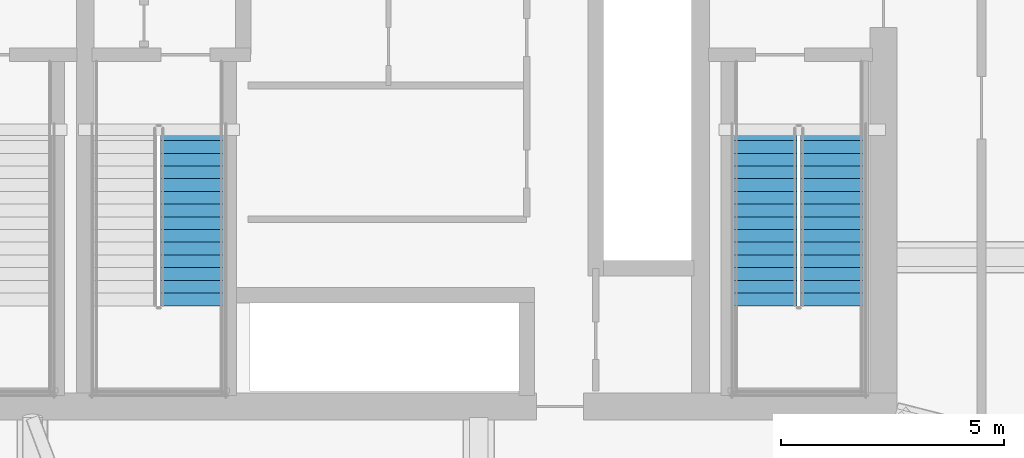
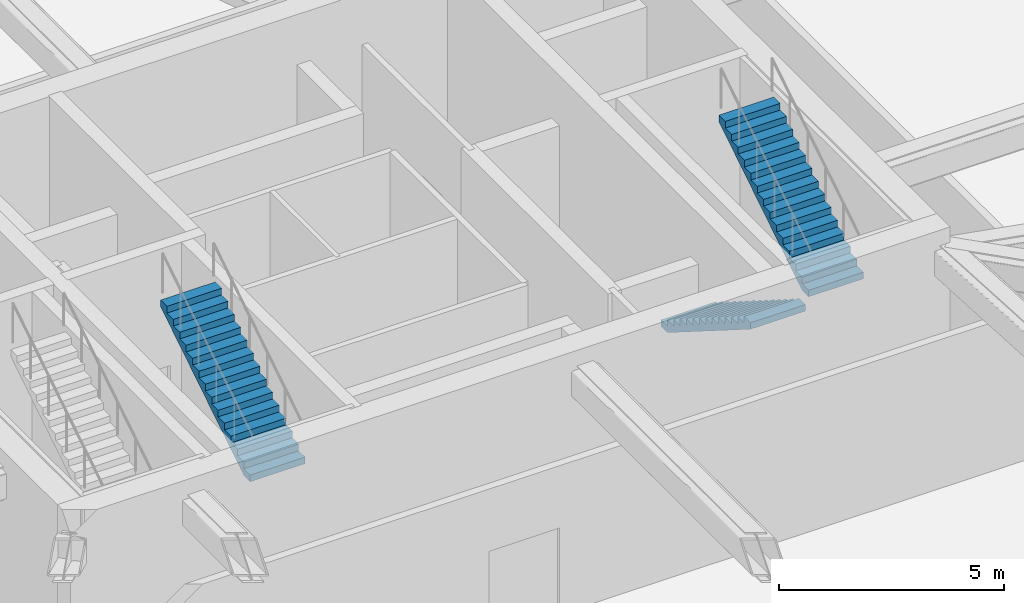
# One storey, part 9 of 13: 3 stair flights, 2 elements without a shape of their own.
"""IFC4 building model written with IfcOpenShell, lengths in metres."""

from ifc_helpers import new_model, si_unit, direction, frame, origin, place, context, subcontext, project, spatial, polyline, outline, extrude, material, type_object, element, aggregate, save


model = new_model("IFC4")

# Units and contexts
model_context = context("Model", 3, precision=1e-05, world=origin(), true_north=direction((0.0, 1.0)))
body_context = subcontext(model_context, "Body", "Model", "MODEL_VIEW")
ifc_project = project(units=[si_unit("LENGTHUNIT", "METRE"), si_unit("AREAUNIT", "SQUARE_METRE"), si_unit("VOLUMEUNIT", "CUBIC_METRE"), si_unit("PLANEANGLEUNIT", "RADIAN"), si_unit("MASSUNIT", "GRAM", prefix="KILO")], contexts=[model_context])

# Site, building, storey
site_placement = place(None, origin())
site = spatial("IfcSite", under=ifc_project, at=site_placement, CompositionType="ELEMENT")
building_placement = place(site_placement, origin())
building = spatial("IfcBuilding", under=site, at=building_placement, Name="Bramvorn Convention Spire", CompositionType="ELEMENT")
storey_placement = place(building_placement, frame((0.0, 0.0, 97.39990234375)))
storey = spatial("IfcBuildingStorey", under=building, at=storey_placement, Name="L23", CompositionType="ELEMENT", Elevation=97.39990234375)

# Stair, stair flights
ifc_material_1 = material(Name="Concrete C40/50 Precast Stair", Category="concrete")
stair_type = type_object("IfcStairType", Name="ST-TOWER-1550", PredefinedType="HALF_TURN_STAIR", material=ifc_material_1)
stair_1_placement = place(storey_placement, origin())
stair_1 = element("IfcStair", 1, at=stair_1_placement, inside=storey, type_object=stair_type, Name="L23 Protected Exit Stair ST2", PredefinedType="HALF_TURN_STAIR")
ifc_material_2 = material(Name="Concrete C40/50 Precast Stair Flight", Category="concrete")
stair_flight_type = type_object("IfcStairFlightType", Name="STF-TOWER-1550", PredefinedType="STRAIGHT", material=ifc_material_2)
stair_flight_1_placement = place(storey_placement, frame((46.35498046875, 25.050048828125, 0.0), z_axis=(0.0, 0.0, 1.0), x_axis=(0.0, -1.0, 0.0)))
stair_flight_1 = element("IfcStairFlight", 2, at=stair_flight_1_placement, type_object=stair_flight_type, Name="ST2 flight 1", NumberOfRisers=15, NumberOfTreads=14, PredefinedType="STRAIGHT", RiserHeight=0.18, TreadLength=0.285, context=body_context, shape_type="SweptSolid", body=[
    extrude(outline(polyline([(0.0, 0.0), (0.0, 0.179931640625), (0.284912109375, 0.179931640625), (0.284912109375, 0.360107421875), (0.570068359375, 0.360107421875), (0.570068359375, 0.5400390625), (0.85498046875, 0.5400390625), (0.85498046875, 0.719970703125), (1.139892578125, 0.719970703125), (1.139892578125, 0.89990234375), (1.425048828125, 0.89990234375), (1.425048828125, 1.080078125), (1.7099609375, 1.080078125), (1.7099609375, 1.260009765625), (1.9951171875, 1.260009765625), (1.9951171875, 1.43994140625), (2.280029296875, 1.43994140625), (2.280029296875, 1.6201171875), (2.56494140625, 1.6201171875), (2.56494140625, 1.800048828125), (2.85009765625, 1.800048828125), (2.85009765625, 1.97998046875), (3.135009765625, 1.97998046875), (3.135009765625, 2.159912109375), (3.419921875, 2.159912109375), (3.419921875, 2.340087890625), (3.705078125, 2.340087890625), (3.705078125, 2.52001953125), (3.989990234375, 2.52001953125), (3.989990234375, 2.699951171875), (3.989990234375, 2.3427734375), (0.28076171875, 0.0), (0.0, 0.0)])), frame((0.0, 0.705078125, 0.0), z_axis=(0.0, -1.0, 0.0), x_axis=(1.0, 0.0, 0.0)), (0.0, 0.0, 1.0), 1.409912109375),
])
stair_flight_2_placement = place(storey_placement, frame((47.844970703125, 21.06005859375, 2.7001953125), z_axis=(0.0, 0.0, 1.0), x_axis=(0.0, 1.0, 0.0)))
stair_flight_2 = element("IfcStairFlight", 3, at=stair_flight_2_placement, type_object=stair_flight_type, Name="ST2 flight 2", NumberOfRisers=15, NumberOfTreads=14, PredefinedType="STRAIGHT", RiserHeight=0.18, TreadLength=0.285, context=body_context, shape_type="SweptSolid", body=[
    extrude(outline(polyline([(0.0, 0.0), (0.0, 0.179931640625), (0.284912109375, 0.179931640625), (0.284912109375, 0.360107421875), (0.570068359375, 0.360107421875), (0.570068359375, 0.5400390625), (0.85498046875, 0.5400390625), (0.85498046875, 0.719970703125), (1.139892578125, 0.719970703125), (1.139892578125, 0.89990234375), (1.425048828125, 0.89990234375), (1.425048828125, 1.080078125), (1.7099609375, 1.080078125), (1.7099609375, 1.260009765625), (1.9951171875, 1.260009765625), (1.9951171875, 1.43994140625), (2.280029296875, 1.43994140625), (2.280029296875, 1.6201171875), (2.56494140625, 1.6201171875), (2.56494140625, 1.800048828125), (2.85009765625, 1.800048828125), (2.85009765625, 1.97998046875), (3.135009765625, 1.97998046875), (3.135009765625, 2.159912109375), (3.419921875, 2.159912109375), (3.419921875, 2.340087890625), (3.705078125, 2.340087890625), (3.705078125, 2.52001953125), (3.989990234375, 2.52001953125), (3.989990234375, 2.699951171875), (3.989990234375, 2.3427734375), (0.28076171875, 0.0), (0.0, 0.0)])), frame((0.0, 0.705078125, 0.0), z_axis=(0.0, -1.0, 0.0), x_axis=(1.0, 0.0, 0.0)), (0.0, 0.0, 1.0), 1.409912109375),
])
aggregate(stair_1, [stair_flight_1, stair_flight_2])

# Stair, stair flight
stair_2_placement = place(storey_placement, origin())
stair_2 = element("IfcStair", 4, at=stair_2_placement, inside=storey, type_object=stair_type, Name="L23 Protected Exit Stair ST3", PredefinedType="HALF_TURN_STAIR")
stair_flight_3_placement = place(storey_placement, frame((33.4951171875, 21.06005859375, 2.7001953125), z_axis=(0.0, 0.0, 1.0), x_axis=(0.0, 1.0, 0.0)))
stair_flight_3 = element("IfcStairFlight", 5, at=stair_flight_3_placement, type_object=stair_flight_type, Name="ST3 flight 2", NumberOfRisers=15, NumberOfTreads=14, PredefinedType="STRAIGHT", RiserHeight=0.18, TreadLength=0.285, context=body_context, shape_type="SweptSolid", body=[
    extrude(outline(polyline([(0.0, 0.0), (0.0, 0.179931640625), (0.284912109375, 0.179931640625), (0.284912109375, 0.360107421875), (0.570068359375, 0.360107421875), (0.570068359375, 0.5400390625), (0.85498046875, 0.5400390625), (0.85498046875, 0.719970703125), (1.139892578125, 0.719970703125), (1.139892578125, 0.89990234375), (1.425048828125, 0.89990234375), (1.425048828125, 1.080078125), (1.7099609375, 1.080078125), (1.7099609375, 1.260009765625), (1.9951171875, 1.260009765625), (1.9951171875, 1.43994140625), (2.280029296875, 1.43994140625), (2.280029296875, 1.6201171875), (2.56494140625, 1.6201171875), (2.56494140625, 1.800048828125), (2.85009765625, 1.800048828125), (2.85009765625, 1.97998046875), (3.135009765625, 1.97998046875), (3.135009765625, 2.159912109375), (3.419921875, 2.159912109375), (3.419921875, 2.340087890625), (3.705078125, 2.340087890625), (3.705078125, 2.52001953125), (3.989990234375, 2.52001953125), (3.989990234375, 2.699951171875), (3.989990234375, 2.3427734375), (0.28076171875, 0.0), (0.0, 0.0)])), frame((0.0, 0.705078125, 0.0), z_axis=(0.0, -1.0, 0.0), x_axis=(1.0, 0.0, 0.0)), (0.0, 0.0, 1.0), 1.409912109375),
])
aggregate(stair_2, [stair_flight_3])

save(model, "model.ifc")
